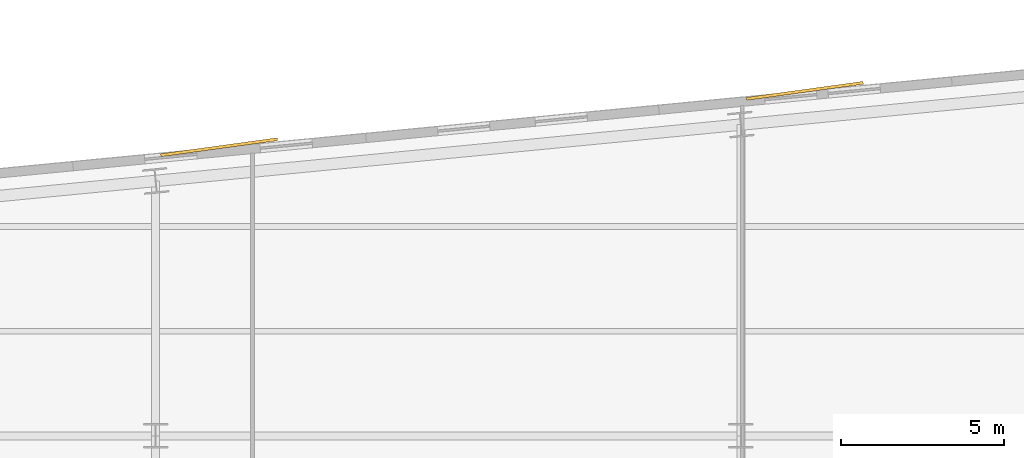
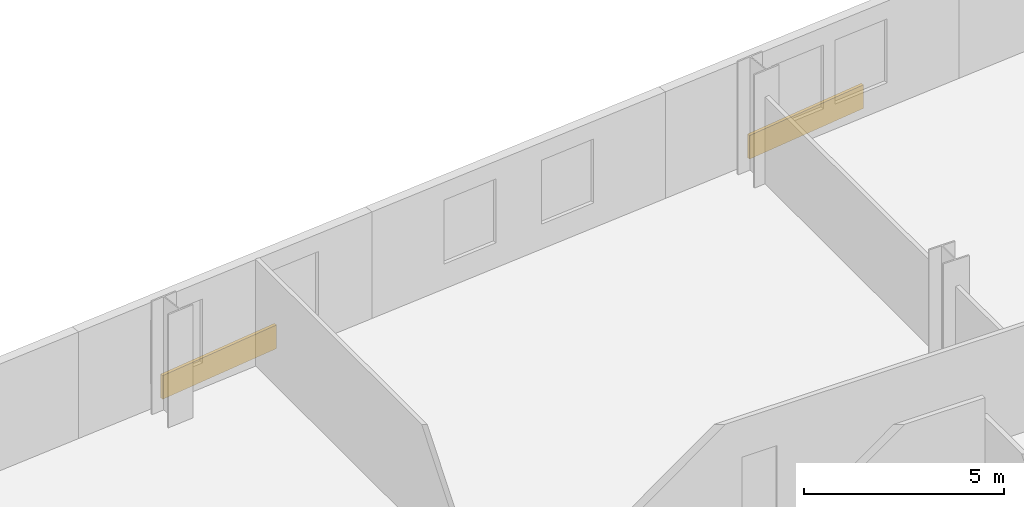
# One storey, part 10 of 10: 2 coverings.
"""IFC4 building model written with IfcOpenShell, lengths in metres."""

from ifc_helpers import new_model, si_unit, direction, frame, origin, origin_2d, place, context, subcontext, project, spatial, rectangle, extrude, material, layer, layer_set, type_object, element, save


model = new_model("IFC4")

# Units and contexts
model_context = context("Model", 3, precision=1e-05, world=origin(), true_north=direction((0.0, 1.0)))
body_context = subcontext(model_context, "Body", "Model", "MODEL_VIEW")
ifc_project = project(units=[si_unit("LENGTHUNIT", "METRE"), si_unit("AREAUNIT", "SQUARE_METRE"), si_unit("VOLUMEUNIT", "CUBIC_METRE"), si_unit("PLANEANGLEUNIT", "RADIAN"), si_unit("MASSUNIT", "GRAM", prefix="KILO")], contexts=[model_context])

# Site, building, storey
site_placement = place(None, origin())
site = spatial("IfcSite", under=ifc_project, at=site_placement, CompositionType="ELEMENT")
building_placement = place(site_placement, origin())
building = spatial("IfcBuilding", under=site, at=building_placement, Name="Velakula Bourse", CompositionType="ELEMENT")
storey_placement = place(building_placement, frame((0.0, 0.0, 88.0)))
storey = spatial("IfcBuildingStorey", under=building, at=storey_placement, Name="L23", CompositionType="ELEMENT", Elevation=88.0)

# Coverings
ifc_material = material(Name="Buff kilned clay facing brick masonry", Category="masonry")
ifc_layer = layer(ifc_material, 0.074951171875, Name="Buff kilned clay facing brick masonry", Category="masonry")
ifc_layer_set = layer_set([ifc_layer], Name="Buff kilned clay facing brick masonry")
covering_type = type_object("IfcCoveringType", Name="COV-BRK-SPN-75", PredefinedType="CLADDING", material=ifc_layer_set)
for number, where, z_axis, x_axis, name in (
    (1, (-7.0087890625, 23.428955078125, 0.0), (0.0, 0.0, 1.0), (0.990629029058, 0.136580111242, 0.0), "L23 Folded Brick Facade Cladding Panel N-B2"),
    (2, (10.908447265625, 25.154052734375, 0.0), (0.0, 0.0, 1.0), (0.990629029058, 0.136580111242, 0.0), "L23 Folded Brick Facade Cladding Panel N-B4"),
):
    element("IfcCovering", number, at=place(storey_placement, frame(where, z_axis=z_axis, x_axis=x_axis)), inside=storey, type_object=covering_type, Name=name, PredefinedType="CLADDING", context=body_context, shape_type="SweptSolid", body=[
        extrude(rectangle(XDim=3.60009765625, YDim=0.090087890625, at=origin_2d()), origin(), (0.0, 0.0, 1.0), 0.719970703125),
    ])

save(model, "model.ifc")
